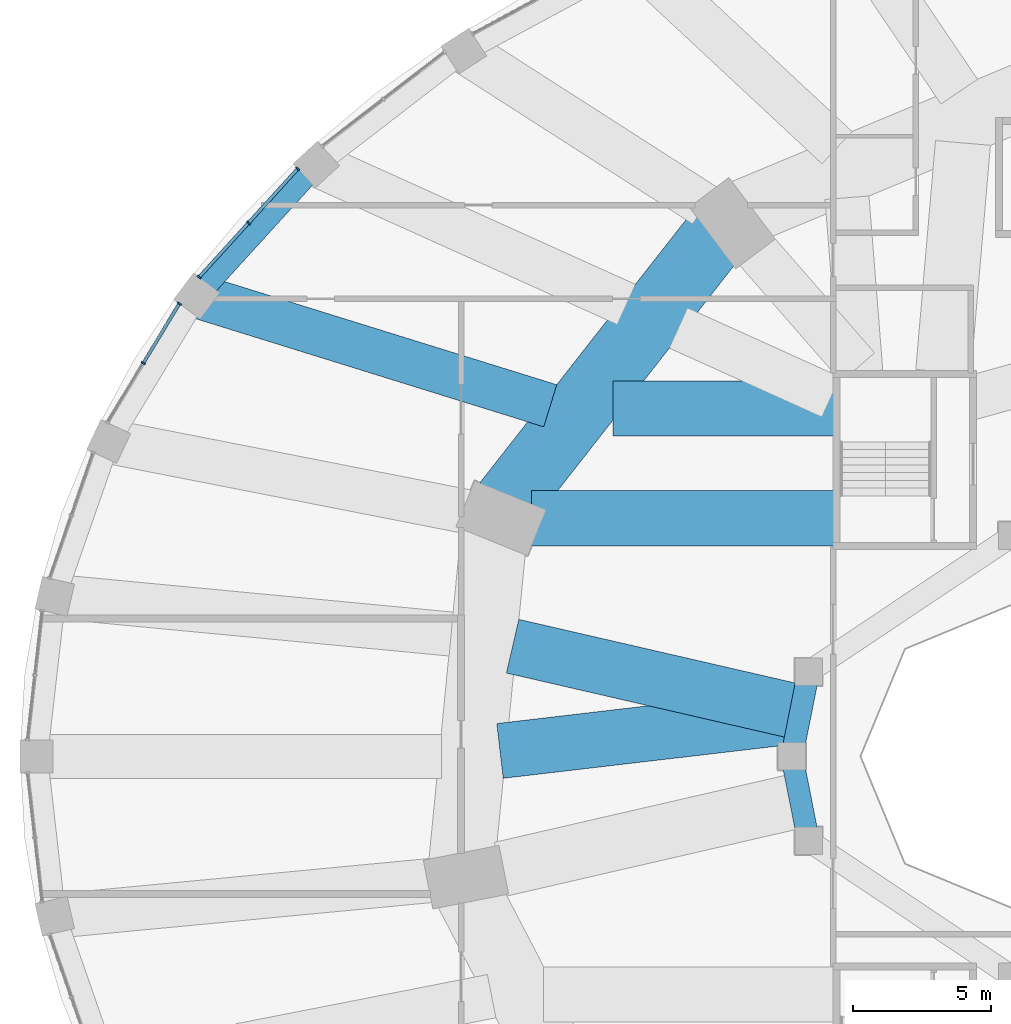
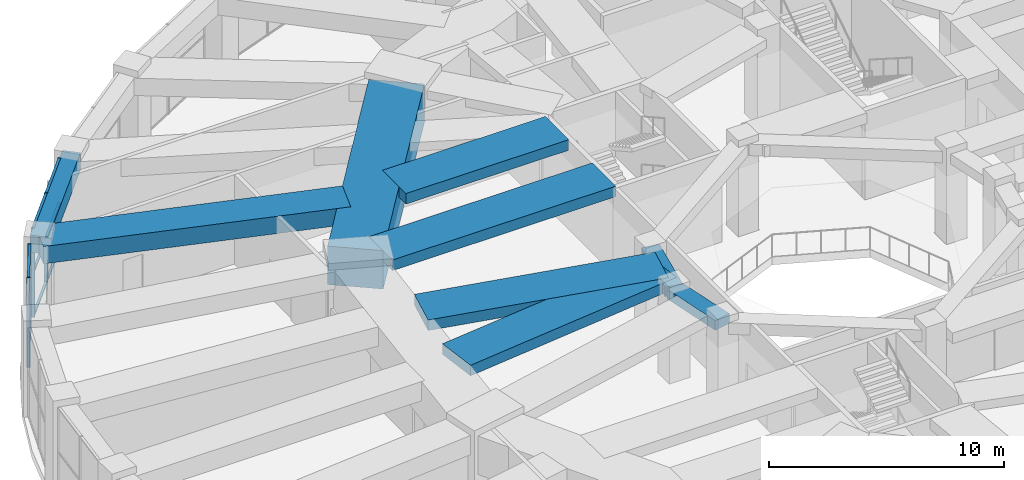
# One storey, part 9 of 30: 14 members, 9 beams, 2 elements without a shape of their own.
"""IFC4 building model written with IfcOpenShell, lengths in metres."""

import ifcopenshell
import ifcopenshell.guid

model = None  # the IFC model being written
_history = None  # IfcOwnerHistory: only IFC2X3 demands one
_inside = {}  # id of a spatial element -> (the spatial element, [elements in it])
_under = {}  # id of a project, library or spatial element -> (it, [spatial elements below it])
_declared = {}  # id of a project -> (the project, [libraries it declares])
_typed = {}  # id of a type object -> (the type object, [elements of that type])
_made_of = {}  # id of a material, layer set ... -> (it, [elements and type objects made of it])


def new_model(schema):
    """Start an empty IFC model of exactly this schema.

    Asked for "IFC4X3", IfcOpenShell would pick the latest addendum, in which some entities
    have other attributes; the version numbers below select the first issue.
    IFC2X3 requires an IfcOwnerHistory on every rooted entity: one is made here for all.
    """
    global model, _history
    if schema == "IFC4X3":
        model = ifcopenshell.file(schema_version=(4, 3, 0, 0))
    else:
        model = ifcopenshell.file(schema=schema)
    _inside.clear()
    _under.clear()
    _declared.clear()
    _typed.clear()
    _made_of.clear()
    _history = None
    if model.schema == "IFC2X3":
        org = make("IfcOrganization", Name="unknown")
        user = make(
            "IfcPersonAndOrganization",
            ThePerson=make("IfcPerson", FamilyName="unknown"),
            TheOrganization=org,
        )
        app = make(
            "IfcApplication",
            ApplicationDeveloper=org,
            Version="unknown",
            ApplicationFullName="unknown",
            ApplicationIdentifier="unknown",
        )
        _history = make(
            "IfcOwnerHistory",
            OwningUser=user,
            OwningApplication=app,
            ChangeAction="ADDED",
            CreationDate=0,
        )
    return model


def make(cls, **values):
    """One entity of the class cls with the attributes given. An attribute that is None is left unset."""
    return model.create_entity(
        cls, **{name: value for name, value in values.items() if value is not None}
    )


def rooted(cls, **values):
    """An entity with a GlobalId (a new one), such as an element, a storey or a relation."""
    return make(cls, GlobalId=ifcopenshell.guid.new(), OwnerHistory=_history, **values)


def si_unit(unit_type, name, prefix=None):
    """IfcSIUnit, for example si_unit("LENGTHUNIT", "METRE", prefix="MILLI")."""
    return make("IfcSIUnit", UnitType=unit_type, Prefix=prefix, Name=name)


def assignment(units):
    """IfcUnitAssignment: the units of a project."""
    return None if units is None else make("IfcUnitAssignment", Units=units)


def point(xyz):
    """IfcCartesianPoint."""
    return None if xyz is None else make("IfcCartesianPoint", Coordinates=xyz)


def direction(xyz):
    """IfcDirection."""
    return None if xyz is None else make("IfcDirection", DirectionRatios=xyz)


def frame(location, z_axis=None, x_axis=None):
    """IfcAxis2Placement3D, a coordinate frame: its origin and axes. An axis left out is left unset."""
    return make(
        "IfcAxis2Placement3D",
        Location=point(location),
        Axis=direction(z_axis),
        RefDirection=direction(x_axis),
    )


def frame_2d(location, x_axis=None):
    """IfcAxis2Placement2D, a coordinate frame in the plane: its origin and x axis."""
    return make(
        "IfcAxis2Placement2D", Location=point(location), RefDirection=direction(x_axis)
    )


def origin():
    """The frame at (0, 0, 0) with its axes left unset."""
    return frame((0.0, 0.0, 0.0))


def origin_2d():
    """The frame at (0, 0) in the plane with its x axis left unset."""
    return frame_2d((0.0, 0.0))


def place(relative_to, where):
    """IfcLocalPlacement: puts the frame where relative to a parent placement (None: the world)."""
    return make(
        "IfcLocalPlacement", PlacementRelTo=relative_to, RelativePlacement=where
    )


def context(
    kind, dimensions, precision=None, world=None, true_north=None, identifier=None
):
    """IfcGeometricRepresentationContext, for example the 3D "Model" context."""
    return make(
        "IfcGeometricRepresentationContext",
        ContextIdentifier=identifier,
        ContextType=kind,
        CoordinateSpaceDimension=dimensions,
        Precision=precision,
        WorldCoordinateSystem=world,
        TrueNorth=true_north,
    )


def subcontext(parent, identifier, kind, view, scale=None):
    """IfcGeometricRepresentationSubContext, for example "Body" below "Model"."""
    return make(
        "IfcGeometricRepresentationSubContext",
        ContextIdentifier=identifier,
        ContextType=kind,
        ParentContext=parent,
        TargetScale=scale,
        TargetView=view,
    )


def project(units=None, contexts=None):
    """IfcProject with its units and contexts."""
    return rooted(
        "IfcProject",
        Name="project",
        RepresentationContexts=contexts,
        UnitsInContext=assignment(units),
    )


def spatial(cls, under=None, at=None, **own):
    """A site, building, storey or space (cls), placed at a placement, below another one or the project."""
    s = rooted(cls, ObjectPlacement=at, **own)
    if under is not None:
        _under.setdefault(under.id(), (under, []))[1].append(s)
    return s


def profile(cls, at=None, kind="AREA", **sizes):
    """A parametric profile (cls). Its sizes go by their IFC names, for example OverallWidth=200.0."""
    return make(cls, ProfileType=kind, Position=at, **sizes)


def rectangle(**sizes):
    """IfcRectangleProfileDef."""
    return profile("IfcRectangleProfileDef", **sizes)


def extrude(swept, where, along, depth):
    """IfcExtrudedAreaSolid: the profile swept, set in the frame where, extruded along a direction by depth."""
    return make(
        "IfcExtrudedAreaSolid",
        SweptArea=swept,
        Position=where,
        ExtrudedDirection=direction(along),
        Depth=depth,
    )


def shape(context_of_items, identifier, shape_type, items):
    """IfcShapeRepresentation: the items that make up one representation, for example the "Body"."""
    return make(
        "IfcShapeRepresentation",
        ContextOfItems=context_of_items,
        RepresentationIdentifier=identifier,
        RepresentationType=shape_type,
        Items=items,
    )


def material(Name=None, Category=None):
    """IfcMaterial."""
    return make("IfcMaterial", Name=Name, Category=Category)


def material_profile(
    of_material, cross_section, Name=None, Category=None, Priority=None
):
    """IfcMaterialProfile: a cross section and its material."""
    return make(
        "IfcMaterialProfile",
        Name=Name,
        Material=of_material,
        Profile=cross_section,
        Priority=Priority,
        Category=Category,
    )


def profile_set(profiles, Name=None, composite=None):
    """IfcMaterialProfileSet."""
    return make(
        "IfcMaterialProfileSet",
        Name=Name,
        MaterialProfiles=profiles,
        CompositeProfile=composite,
    )


def made_of(thing, what):
    """Note that an element or type object is made of a material, layer set ...; save() writes the relation."""
    if what is not None:
        _made_of.setdefault(what.id(), (what, []))[1].append(thing)
    return thing


def type_object(cls, material=None, **own):
    """A type object (cls), such as IfcWallType, which elements share."""
    return made_of(rooted(cls, **own), material)


def element(
    cls,
    number,
    at=None,
    inside=None,
    cuts=None,
    type_object=None,
    material=None,
    context=None,
    identifier="Body",
    shape_type=None,
    held_by="IfcProductDefinitionShape",
    body=None,
    shapes=None,
    **own,
):
    """One element of the class cls, such as IfcWall. Its Tag is "e" and its number.

    at: its placement. inside: the storey or other place that contains it. cuts: it is an
    opening in that element (IfcRelVoidsElement). A single representation is given by context,
    identifier, shape_type and body (its items); several are given by shapes. held_by: the class
    of the entity that holds the representations. save() writes the other relations.
    """
    e = rooted(cls, Tag="e%d" % number, ObjectPlacement=at, **own)
    if body is not None:
        shapes = [shape(context, identifier, shape_type, body)]
    if shapes is not None:
        e.Representation = make(held_by, Representations=shapes)
    if inside is not None:
        _inside.setdefault(inside.id(), (inside, []))[1].append(e)
    if cuts is not None:
        rooted(
            "IfcRelVoidsElement", RelatingBuildingElement=cuts, RelatedOpeningElement=e
        )
    if type_object is not None:
        _typed.setdefault(type_object.id(), (type_object, []))[1].append(e)
    return made_of(e, material)


def aggregate(whole, parts):
    """IfcRelAggregates: a whole, such as a stair, and the parts it consists of."""
    return rooted("IfcRelAggregates", RelatingObject=whole, RelatedObjects=parts)


def save(model, path):
    """Write the relations noted so far, then the file.

    IfcRelAggregates (storeys below a building ...), IfcRelContainedInSpatialStructure (elements
    in a storey), IfcRelDefinesByType, IfcRelAssociatesMaterial and IfcRelDeclares: one each for
    every whole, place, type object, material and project.
    """
    for whole, parts in _under.values():
        aggregate(whole, parts)
    for where, things in _inside.values():
        rooted(
            "IfcRelContainedInSpatialStructure",
            RelatedElements=things,
            RelatingStructure=where,
        )
    for kind, things in _typed.values():
        rooted("IfcRelDefinesByType", RelatedObjects=things, RelatingType=kind)
    for what, things in _made_of.values():
        rooted("IfcRelAssociatesMaterial", RelatedObjects=things, RelatingMaterial=what)
    for by, libraries in _declared.values():
        rooted("IfcRelDeclares", RelatingContext=by, RelatedDefinitions=libraries)
    model.write(path)


model = new_model("IFC4")

# Units and contexts
model_context = context("Model", 3, precision=1e-05, world=origin(), true_north=direction((0.0, 1.0)))
body_context = subcontext(model_context, "Body", "Model", "MODEL_VIEW")
ifc_project = project(units=[si_unit("LENGTHUNIT", "METRE"), si_unit("AREAUNIT", "SQUARE_METRE"), si_unit("VOLUMEUNIT", "CUBIC_METRE"), si_unit("PLANEANGLEUNIT", "RADIAN"), si_unit("MASSUNIT", "GRAM", prefix="KILO")], contexts=[model_context])

# Site, building, storey
site_placement = place(None, origin())
site = spatial("IfcSite", under=ifc_project, at=site_placement, CompositionType="ELEMENT")
building_placement = place(site_placement, origin())
building = spatial("IfcBuilding", under=site, at=building_placement, Name="Taillehof Tower", CompositionType="ELEMENT")
storey_placement = place(building_placement, frame((0.0, 0.0, 12.5)))
storey = spatial("IfcBuildingStorey", under=building, at=storey_placement, Name="L02", CompositionType="ELEMENT", Elevation=12.5)

# Beams
ifc_material_1 = material(Name="Concrete C50/60", Category="concrete")
ifc_material_profile_1 = material_profile(ifc_material_1, rectangle(XDim=0.800048828125, YDim=0.5, at=origin_2d()), Name="RC 800x500")
ifc_profile_set_1 = profile_set([ifc_material_profile_1], Name="Concrete C50/60")
beam_type_1 = type_object("IfcBeamType", Name="Atrium ring beam C50/60 800x500", PredefinedType="BEAM", material=ifc_profile_set_1)
for number, where, z_axis, x_axis, name in (
    (1, (-15.39111328125, 3.0615234375, 4.39990234375), (-0.195063155143, -0.980790683839, 0.0), (0.980790683839, -0.195063155143, 0.0), "Atrium ring beam AB04"),
    (2, (-16.0, 0.0, 4.39990234375), (0.195063155143, -0.980790683839, 0.0), (0.980790683839, 0.195063155143, 0.0), "Atrium ring beam AB05"),
):
    element("IfcBeam", number, at=place(storey_placement, frame(where, z_axis=z_axis, x_axis=x_axis)), inside=storey, type_object=beam_type_1, Name=name, PredefinedType="BEAM", context=body_context, shape_type="SweptSolid", body=[
        extrude(rectangle(XDim=0.800048828125, YDim=0.5, at=origin_2d()), origin(), (0.0, 0.0, 1.0), 3.12158203125),
    ])
ifc_material_2 = material(Name="Concrete C50/60", Category="concrete")
ifc_material_profile_2 = material_profile(ifc_material_2, rectangle(XDim=0.800048828125, YDim=0.89990234375, at=origin_2d()), Name="RC 800x900")
ifc_profile_set_2 = profile_set([ifc_material_profile_2], Name="Concrete C50/60")
beam_type_2 = type_object("IfcBeamType", Name="Podium edge beam C50/60 800x900", PredefinedType="BEAM", material=ifc_profile_set_2)
beam_1_placement = place(storey_placement, frame((-33.246337890625, 21.468994140625, 4.199951171875), z_axis=(-0.67297994181, -0.739660731634, 0.0), x_axis=(0.739660731634, -0.67297994181, 0.0)))
element("IfcBeam", 3, at=beam_1_placement, inside=storey, type_object=beam_type_2, Name="Podium edge beam PB15", PredefinedType="BEAM", context=body_context, shape_type="SweptSolid", body=[
    extrude(rectangle(XDim=0.800048828125, YDim=0.89990234375, at=origin_2d()), origin(), (0.0, 0.0, 1.0), 6.447509765625),
])
ifc_material_3 = material(Name="Concrete C50/60", Category="concrete")
ifc_material_profile_3 = material_profile(ifc_material_3, rectangle(XDim=1.60009765625, YDim=0.89990234375, at=origin_2d()), Name="RC 1600x900")
ifc_profile_set_3 = profile_set([ifc_material_profile_3], Name="Concrete C50/60")
beam_type_3 = type_object("IfcBeamType", Name="Podium radial beam C50/60 1600x900", PredefinedType="BEAM", material=ifc_profile_set_3)
beam_2_placement = place(storey_placement, frame((-37.58544921875, 16.699951171875, 4.199951171875), z_axis=(0.954998443455, -0.296610810656, 0.0), x_axis=(0.296610810656, 0.954998443455, 0.0)))
element("IfcBeam", 4, at=beam_2_placement, inside=storey, type_object=beam_type_3, Name="Podium radial beam PR16", PredefinedType="BEAM", context=body_context, shape_type="SweptSolid", body=[
    extrude(rectangle(XDim=1.60009765625, YDim=0.89990234375, at=origin_2d()), origin(), (0.0, 0.0, 1.0), 13.42724609375),
])

# Curtain wall, members
ifc_material_4 = material(Name="Aluminium curtain wall with Clear low-emissivity double glazing", Category="aluminium")
curtain_wall_type = type_object("IfcCurtainWallType", Name="Podium window wall curtain wall", PredefinedType="USERDEFINED", material=ifc_material_4)
curtain_wall_1_placement = place(storey_placement, origin())
curtain_wall_1 = element("IfcCurtainWall", 5, at=curtain_wall_1_placement, inside=storey, type_object=curtain_wall_type, Name="Podium window wall L02 bay 15", ObjectType="WINDOW WALL", PredefinedType="USERDEFINED")
ifc_material_5 = material(Name="Aluminium mullion", Category="aluminium")
ifc_material_profile_4 = material_profile(ifc_material_5, rectangle(XDim=0.159912109375, YDim=0.06005859375, at=origin_2d()), Name="AL 60x160")
ifc_profile_set_4 = profile_set([ifc_material_profile_4], Name="Aluminium mullion")
member_type_1 = type_object("IfcMemberType", Name="Podium window wall mullion 60x160", PredefinedType="MULLION", material=ifc_profile_set_4)
member_1_placement = place(storey_placement, frame((-33.922119140625, 21.317138671875, 0.0), z_axis=(0.0, 0.0, 1.0), x_axis=(0.739707112587, -0.672928961769, 0.0)))
member_1 = element("IfcMember", 6, at=member_1_placement, type_object=member_type_1, Name="CT215 mullion 1", PredefinedType="MULLION", context=body_context, shape_type="SweptSolid", body=[
    extrude(rectangle(XDim=0.159912109375, YDim=0.06005859375, at=origin_2d()), origin(), (0.0, 0.0, 1.0), 4.64990234375),
])
member_2_placement = place(storey_placement, frame((-35.7109375, 19.35107421875, 0.0), z_axis=(0.0, 0.0, 1.0), x_axis=(0.739707112587, -0.672928961769, 0.0)))
member_2 = element("IfcMember", 7, at=member_2_placement, type_object=member_type_1, Name="CT215 mullion 2", PredefinedType="MULLION", context=body_context, shape_type="SweptSolid", body=[
    extrude(rectangle(XDim=0.159912109375, YDim=0.06005859375, at=origin_2d()), origin(), (0.0, 0.0, 1.0), 4.64990234375),
])
member_3_placement = place(storey_placement, frame((-37.49951171875, 17.384765625, 0.0), z_axis=(0.0, 0.0, 1.0), x_axis=(0.739707112587, -0.672928961769, 0.0)))
member_3 = element("IfcMember", 8, at=member_3_placement, type_object=member_type_1, Name="CT215 mullion 3", PredefinedType="MULLION", context=body_context, shape_type="SweptSolid", body=[
    extrude(rectangle(XDim=0.159912109375, YDim=0.06005859375, at=origin_2d()), origin(), (0.0, 0.0, 1.0), 4.64990234375),
])

curtain_wall_2_placement = place(storey_placement, origin())
curtain_wall_2 = element("IfcCurtainWall", 9, at=curtain_wall_2_placement, inside=storey, type_object=curtain_wall_type, Name="Podium window wall L02 bay 16", ObjectType="WINDOW WALL", PredefinedType="USERDEFINED")
member_4_placement = place(storey_placement, frame((-38.217529296875, 16.42333984375, 0.0), z_axis=(0.0, 0.0, 1.0), x_axis=(0.855288863309, -0.518151483931, 0.0)))
member_4 = element("IfcMember", 10, at=member_4_placement, type_object=member_type_1, Name="CT216 mullion 1", PredefinedType="MULLION", context=body_context, shape_type="SweptSolid", body=[
    extrude(rectangle(XDim=0.159912109375, YDim=0.06005859375, at=origin_2d()), origin(), (0.0, 0.0, 1.0), 4.64990234375),
])
member_5_placement = place(storey_placement, frame((-39.524169921875, 14.266357421875, 0.0), z_axis=(0.0, 0.0, 1.0), x_axis=(0.855288863309, -0.518151483931, 0.0)))
member_5 = element("IfcMember", 11, at=member_5_placement, type_object=member_type_1, Name="CT216 mullion 2", PredefinedType="MULLION", context=body_context, shape_type="SweptSolid", body=[
    extrude(rectangle(XDim=0.159912109375, YDim=0.06005859375, at=origin_2d()), origin(), (0.0, 0.0, 1.0), 4.64990234375),
])

# Member
ifc_material_6 = material(Name="Aluminium transom", Category="aluminium")
ifc_material_profile_5 = material_profile(ifc_material_6, rectangle(XDim=0.1201171875, YDim=0.06005859375, at=origin_2d()), Name="AL 120x60")
ifc_profile_set_5 = profile_set([ifc_material_profile_5], Name="Aluminium transom")
member_type_2 = type_object("IfcMemberType", Name="Podium window wall transom 120x60", PredefinedType="USERDEFINED", material=ifc_profile_set_5)
member_6_placement = place(storey_placement, frame((-33.9423828125, 21.294921875, 0.030029296875), z_axis=(-0.672958072108, -0.73968062918, 0.0), x_axis=(0.73968062918, -0.672958072108, 0.0)))
member_6 = element("IfcMember", 12, at=member_6_placement, type_object=member_type_2, Name="CT215 transom 1.1", ObjectType="TRANSOM", PredefinedType="USERDEFINED", context=body_context, shape_type="SweptSolid", body=[
    extrude(rectangle(XDim=0.1201171875, YDim=0.06005859375, at=origin_2d()), origin(), (0.0, 0.0, 1.0), 2.597900390625),
])

member_7_placement = place(storey_placement, frame((-33.9423828125, 21.294921875, 2.324951171875), z_axis=(-0.672958072108, -0.73968062918, 0.0), x_axis=(0.73968062918, -0.672958072108, 0.0)))
member_7 = element("IfcMember", 13, at=member_7_placement, type_object=member_type_2, Name="CT215 transom 1.2", ObjectType="TRANSOM", PredefinedType="USERDEFINED", context=body_context, shape_type="SweptSolid", body=[
    extrude(rectangle(XDim=0.1201171875, YDim=0.06005859375, at=origin_2d()), origin(), (0.0, 0.0, 1.0), 2.597900390625),
])

member_8_placement = place(storey_placement, frame((-33.9423828125, 21.294921875, 4.6201171875), z_axis=(-0.672958072108, -0.73968062918, 0.0), x_axis=(0.73968062918, -0.672958072108, 0.0)))
member_8 = element("IfcMember", 14, at=member_8_placement, type_object=member_type_2, Name="CT215 transom 1.3", ObjectType="TRANSOM", PredefinedType="USERDEFINED", context=body_context, shape_type="SweptSolid", body=[
    extrude(rectangle(XDim=0.1201171875, YDim=0.06005859375, at=origin_2d()), origin(), (0.0, 0.0, 1.0), 2.597900390625),
])

member_9_placement = place(storey_placement, frame((-35.73095703125, 19.328857421875, 0.030029296875), z_axis=(-0.672911295482, -0.739723183639, 0.0), x_axis=(0.739723183639, -0.672911295482, 0.0)))
member_9 = element("IfcMember", 15, at=member_9_placement, type_object=member_type_2, Name="CT215 transom 2.1", ObjectType="TRANSOM", PredefinedType="USERDEFINED", context=body_context, shape_type="SweptSolid", body=[
    extrude(rectangle(XDim=0.1201171875, YDim=0.06005859375, at=origin_2d()), origin(), (0.0, 0.0, 1.0), 2.59814453125),
])

member_10_placement = place(storey_placement, frame((-35.73095703125, 19.328857421875, 2.324951171875), z_axis=(-0.672911295482, -0.739723183639, 0.0), x_axis=(0.739723183639, -0.672911295482, 0.0)))
member_10 = element("IfcMember", 16, at=member_10_placement, type_object=member_type_2, Name="CT215 transom 2.2", ObjectType="TRANSOM", PredefinedType="USERDEFINED", context=body_context, shape_type="SweptSolid", body=[
    extrude(rectangle(XDim=0.1201171875, YDim=0.06005859375, at=origin_2d()), origin(), (0.0, 0.0, 1.0), 2.59814453125),
])

member_11_placement = place(storey_placement, frame((-35.73095703125, 19.328857421875, 4.6201171875), z_axis=(-0.672911295482, -0.739723183639, 0.0), x_axis=(0.739723183639, -0.672911295482, 0.0)))
member_11 = element("IfcMember", 17, at=member_11_placement, type_object=member_type_2, Name="CT215 transom 2.3", ObjectType="TRANSOM", PredefinedType="USERDEFINED", context=body_context, shape_type="SweptSolid", body=[
    extrude(rectangle(XDim=0.1201171875, YDim=0.06005859375, at=origin_2d()), origin(), (0.0, 0.0, 1.0), 2.59814453125),
])

aggregate(curtain_wall_1, [member_1, member_2, member_3, member_6, member_7, member_8, member_9, member_10, member_11])

member_12_placement = place(storey_placement, frame((-38.233154296875, 16.397705078125, 0.030029296875), z_axis=(-0.518136875535, -0.855297713203, 0.0), x_axis=(0.855297713203, -0.518136875535, 0.0)))
member_12 = element("IfcMember", 18, at=member_12_placement, type_object=member_type_2, Name="CT216 transom 1.1", ObjectType="TRANSOM", PredefinedType="USERDEFINED", context=body_context, shape_type="SweptSolid", body=[
    extrude(rectangle(XDim=0.1201171875, YDim=0.06005859375, at=origin_2d()), origin(), (0.0, 0.0, 1.0), 2.4619140625),
])

member_13_placement = place(storey_placement, frame((-38.233154296875, 16.397705078125, 2.324951171875), z_axis=(-0.518136875535, -0.855297713203, 0.0), x_axis=(0.855297713203, -0.518136875535, 0.0)))
member_13 = element("IfcMember", 19, at=member_13_placement, type_object=member_type_2, Name="CT216 transom 1.2", ObjectType="TRANSOM", PredefinedType="USERDEFINED", context=body_context, shape_type="SweptSolid", body=[
    extrude(rectangle(XDim=0.1201171875, YDim=0.06005859375, at=origin_2d()), origin(), (0.0, 0.0, 1.0), 2.4619140625),
])

member_14_placement = place(storey_placement, frame((-38.233154296875, 16.397705078125, 4.6201171875), z_axis=(-0.518136875535, -0.855297713203, 0.0), x_axis=(0.855297713203, -0.518136875535, 0.0)))
member_14 = element("IfcMember", 20, at=member_14_placement, type_object=member_type_2, Name="CT216 transom 1.3", ObjectType="TRANSOM", PredefinedType="USERDEFINED", context=body_context, shape_type="SweptSolid", body=[
    extrude(rectangle(XDim=0.1201171875, YDim=0.06005859375, at=origin_2d()), origin(), (0.0, 0.0, 1.0), 2.4619140625),
])

aggregate(curtain_wall_2, [member_4, member_5, member_12, member_13, member_14])

# Beams
ifc_material_7 = material(Name="Concrete C50/60", Category="concrete")
ifc_material_profile_6 = material_profile(ifc_material_7, rectangle(XDim=2.0, YDim=0.550048828125, at=origin_2d()), Name="RC 2000x550")
ifc_profile_set_6 = profile_set([ifc_material_profile_6], Name="Concrete C50/60")
beam_type_4 = type_object("IfcBeamType", Name="Radial band beam C50/60 2000x550", PredefinedType="BEAM", material=ifc_profile_set_6)
beam_3_placement = place(storey_placement, frame((-22.480224609375, 12.625, 4.375), z_axis=(1.0, 0.0, 0.0), x_axis=(0.0, 1.0, 0.0)))
element("IfcBeam", 21, at=beam_3_placement, inside=storey, type_object=beam_type_4, Name="Radial band beam RB16", PredefinedType="BEAM", context=body_context, shape_type="SweptSolid", body=[
    extrude(rectangle(XDim=2.0, YDim=0.550048828125, at=origin_2d()), origin(), (0.0, 0.0, 1.0), 8.0302734375),
])
beam_4_placement = place(storey_placement, frame((-25.443115234375, 8.635986328125, 4.375), z_axis=(1.0, 0.0, 0.0), x_axis=(0.0, 1.0, 0.0)))
element("IfcBeam", 22, at=beam_4_placement, inside=storey, type_object=beam_type_4, Name="Radial band beam RB17", PredefinedType="BEAM", context=body_context, shape_type="SweptSolid", body=[
    extrude(rectangle(XDim=2.0, YDim=0.550048828125, at=origin_2d()), origin(), (0.0, 0.0, 1.0), 10.9931640625),
])
beam_5_placement = place(storey_placement, frame((-26.12890625, 3.9951171875, 4.375), z_axis=(0.974507000439, -0.224357095043, 0.0), x_axis=(0.224357095043, 0.974507000439, 0.0)))
element("IfcBeam", 23, at=beam_5_placement, inside=storey, type_object=beam_type_4, Name="Radial band beam RB18", PredefinedType="BEAM", context=body_context, shape_type="SweptSolid", body=[
    extrude(rectangle(XDim=2.0, YDim=0.550048828125, at=origin_2d()), origin(), (0.0, 0.0, 1.0), 10.718505859375),
])
beam_6_placement = place(storey_placement, frame((-26.585693359375, 0.1953125, 4.375), z_axis=(0.993192230018, 0.116486884377, 0.0), x_axis=(-0.116486884377, 0.993192230018, 0.0)))
element("IfcBeam", 24, at=beam_6_placement, inside=storey, type_object=beam_type_4, Name="Radial band beam RB19", PredefinedType="BEAM", context=body_context, shape_type="SweptSolid", body=[
    extrude(rectangle(XDim=2.0, YDim=0.550048828125, at=origin_2d()), origin(), (0.0, 0.0, 1.0), 10.952880859375),
])
ifc_material_8 = material(Name="Concrete C80/95", Category="concrete")
ifc_material_profile_7 = material_profile(ifc_material_8, rectangle(XDim=2.39990234375, YDim=2.0, at=origin_2d()), Name="RC 2400x2000")
ifc_profile_set_7 = profile_set([ifc_material_profile_7], Name="Concrete C80/95")
beam_type_5 = type_object("IfcBeamType", Name="Transfer girder C80/95 2400x2000", PredefinedType="BEAM", material=ifc_profile_set_7)
beam_7_placement = place(storey_placement, frame((-18.65771484375, 19.030029296875, 3.64990234375), z_axis=(-0.616700056561, -0.787198221694, 0.0), x_axis=(0.787198221694, -0.616700056561, 0.0)))
element("IfcBeam", 25, at=beam_7_placement, inside=storey, type_object=beam_type_5, Name="Transfer girder TG05", PredefinedType="BEAM", context=body_context, shape_type="SweptSolid", body=[
    extrude(rectangle(XDim=2.39990234375, YDim=2.0, at=origin_2d()), origin(), (0.0, 0.0, 1.0), 12.51513671875),
])

save(model, "model.ifc")
